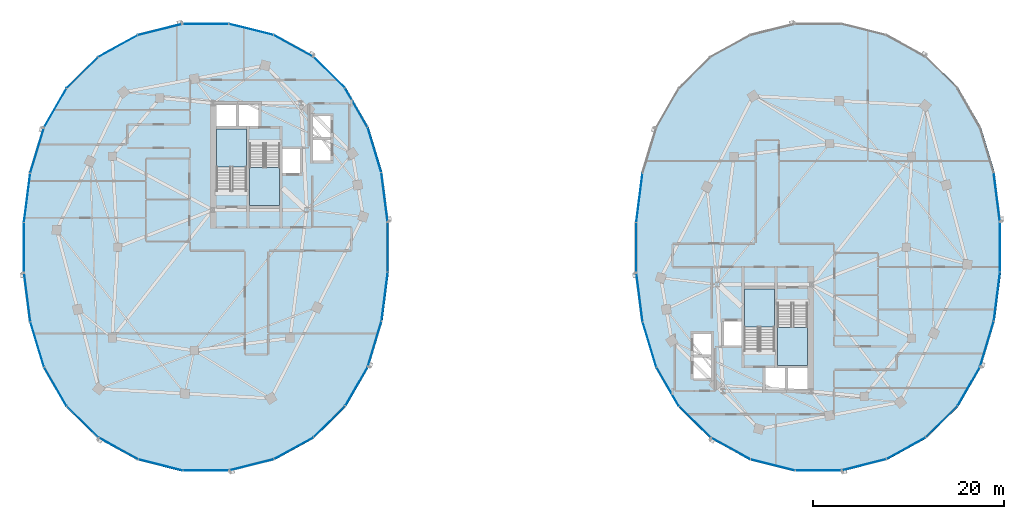
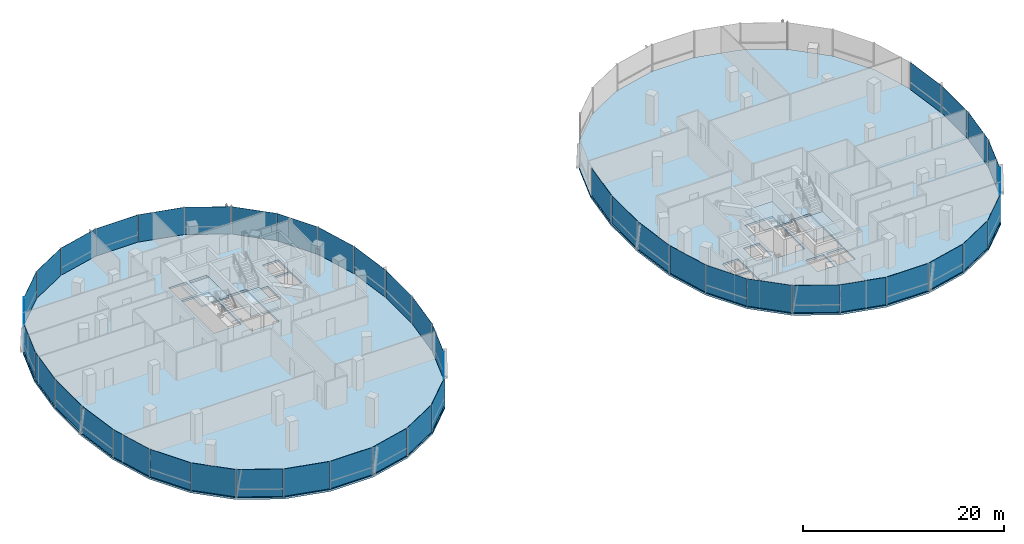
# One storey, part 10 of 22: 45 plates, 6 slabs, 12 elements without a shape of their own.
"""IFC4 building model written with IfcOpenShell, lengths in metres."""

from ifc_helpers import new_model, si_unit, direction, frame, origin, origin_2d, place, context, subcontext, project, spatial, polyline, rectangle, outline, extrude, material, layer, layer_set, type_object, element, aggregate, save


model = new_model("IFC4")

# Units and contexts
model_context = context("Model", 3, precision=1e-05, world=origin(), true_north=direction((0.0, 1.0)))
body_context = subcontext(model_context, "Body", "Model", "MODEL_VIEW")
ifc_project = project(units=[si_unit("LENGTHUNIT", "METRE"), si_unit("AREAUNIT", "SQUARE_METRE"), si_unit("VOLUMEUNIT", "CUBIC_METRE"), si_unit("PLANEANGLEUNIT", "RADIAN"), si_unit("MASSUNIT", "GRAM", prefix="KILO"), si_unit("THERMODYNAMICTEMPERATUREUNIT", "KELVIN"), si_unit("POWERUNIT", "WATT")], contexts=[model_context])

# Site, building, storey
site_placement = place(None, origin())
site = spatial("IfcSite", under=ifc_project, at=site_placement, CompositionType="ELEMENT")
building_placement = place(site_placement, origin())
building = spatial("IfcBuilding", under=site, at=building_placement, Name="Cundina Bronze Exchange", CompositionType="ELEMENT")
storey_placement = place(building_placement, frame((0.0, 0.0, 147.60009765625)))
storey = spatial("IfcBuildingStorey", under=building, at=storey_placement, Name="L38", CompositionType="ELEMENT", Elevation=147.60009765625)

# Curtain wall, plates
ifc_material_1 = material(Name="Anodised Bronze Aluminium 6063-T6", Category="aluminium")
curtain_wall_type = type_object("IfcCurtainWallType", Name="CWS-WST-PIN", PredefinedType="NOTDEFINED", material=ifc_material_1)
curtain_wall_1_placement = place(storey_placement, origin())
curtain_wall_1 = element("IfcCurtainWall", 1, at=curtain_wall_1_placement, inside=storey, type_object=curtain_wall_type, Name="L38 CW-04 Curtain Wall Run CWR-L38-W1", PredefinedType="NOTDEFINED")
ifc_material_2 = material(Name="Heat-Strengthened Solar-Control Bronze Safety Glass 28mm", Category="glass")
ifc_layer_1 = layer(ifc_material_2, 0.028076171875, Name="Heat-Strengthened Solar-Control Bronze Safety Glass 28mm", Category="glass")
ifc_layer_set_1 = layer_set([ifc_layer_1], Name="Heat-Strengthened Solar-Control Bronze Safety Glass 28mm")
plate_type_1 = type_object("IfcPlateType", Name="PLT-GLZ-VIS28", PredefinedType="CURTAIN_PANEL", material=ifc_layer_set_1)
plate_1_placement = place(storey_placement, frame((-13.320556640625, 5.2041015625, 0.02001953125), z_axis=(0.0, 0.0, 1.0), x_axis=(-0.126475984253, 0.9919696696, 0.0)))
plate_1 = element("IfcPlate", 2, at=plate_1_placement, type_object=plate_type_1, Name="CW-04 Glazed Panel 1", PredefinedType="CURTAIN_PANEL", context=body_context, shape_type="SweptSolid", body=[
    extrude(rectangle(XDim=5.104736328125, YDim=0.028076171875, at=origin_2d()), origin(), (0.0, 0.0, 1.0), 3.320068359375),
])
plate_2_placement = place(storey_placement, frame((-16.265625, 14.564697265625, 0.02001953125), z_axis=(0.0, 0.0, 1.0), x_axis=(-0.498487739754, 0.866896748936, 0.0)))
plate_2 = element("IfcPlate", 3, at=plate_2_placement, type_object=plate_type_1, Name="CW-04 Glazed Panel 3", PredefinedType="CURTAIN_PANEL", context=body_context, shape_type="SweptSolid", body=[
    extrude(rectangle(XDim=4.676513671875, YDim=0.028076171875, at=origin_2d()), origin(), (0.0, 0.0, 1.0), 3.320068359375),
])
plate_3_placement = place(storey_placement, frame((-19.105224609375, 18.253662109375, 0.02001953125), z_axis=(0.0, 0.0, 1.0), x_axis=(-0.711989280367, 0.702190333629, 0.0)))
plate_3 = element("IfcPlate", 4, at=plate_3_placement, type_object=plate_type_1, Name="CW-04 Glazed Panel 4", PredefinedType="CURTAIN_PANEL", context=body_context, shape_type="SweptSolid", body=[
    extrude(rectangle(XDim=4.6025390625, YDim=0.028076171875, at=origin_2d()), origin(), (0.0, 0.0, 1.0), 3.320068359375),
])
plate_4_placement = place(storey_placement, frame((-22.83154296875, 21.02880859375, 0.02001953125), z_axis=(0.0, 0.0, 1.0), x_axis=(-0.875869093438, 0.482548786301, 0.0)))
plate_4 = element("IfcPlate", 5, at=plate_4_placement, type_object=plate_type_1, Name="CW-04 Glazed Panel 5", PredefinedType="CURTAIN_PANEL", context=body_context, shape_type="SweptSolid", body=[
    extrude(rectangle(XDim=4.661865234375, YDim=0.028076171875, at=origin_2d()), origin(), (0.0, 0.0, 1.0), 3.320068359375),
])
plate_5_placement = place(storey_placement, frame((-27.23486328125, 22.75244140625, 0.02001953125), z_axis=(0.0, 0.0, 1.0), x_axis=(-0.970092713791, 0.242734683656, 0.0)))
plate_5 = element("IfcPlate", 6, at=plate_5_placement, type_object=plate_type_1, Name="CW-04 Glazed Panel 6", PredefinedType="CURTAIN_PANEL", context=body_context, shape_type="SweptSolid", body=[
    extrude(rectangle(XDim=4.7548828125, YDim=0.028076171875, at=origin_2d()), origin(), (0.0, 0.0, 1.0), 3.320068359375),
])

curtain_wall_2_placement = place(storey_placement, origin())
curtain_wall_2 = element("IfcCurtainWall", 7, at=curtain_wall_2_placement, inside=storey, type_object=curtain_wall_type, Name="L38 CW-04 Curtain Wall Run CWR-L38-W2", PredefinedType="NOTDEFINED")
plate_6_placement = place(storey_placement, frame((-41.16845703125, 21.02880859375, 0.02001953125), z_axis=(0.0, 0.0, 1.0), x_axis=(-0.875869093438, -0.482548786301, 0.0)))
plate_6 = element("IfcPlate", 8, at=plate_6_placement, type_object=plate_type_1, Name="CW-04 Glazed Panel 2", PredefinedType="CURTAIN_PANEL", context=body_context, shape_type="SweptSolid", body=[
    extrude(rectangle(XDim=4.661865234375, YDim=0.028076171875, at=origin_2d()), origin(), (0.0, 0.0, 1.0), 3.320068359375),
])
plate_7_placement = place(storey_placement, frame((-44.894775390625, 18.253662109375, 0.02001953125), z_axis=(0.0, 0.0, 1.0), x_axis=(-0.711989280367, -0.702190333629, 0.0)))
plate_7 = element("IfcPlate", 9, at=plate_7_placement, type_object=plate_type_1, Name="CW-04 Glazed Panel 3", PredefinedType="CURTAIN_PANEL", context=body_context, shape_type="SweptSolid", body=[
    extrude(rectangle(XDim=4.6025390625, YDim=0.028076171875, at=origin_2d()), origin(), (0.0, 0.0, 1.0), 3.320068359375),
])
plate_8_placement = place(storey_placement, frame((-47.734375, 14.564697265625, 0.02001953125), z_axis=(0.0, 0.0, 1.0), x_axis=(-0.498487739754, -0.866896748936, 0.0)))
plate_8 = element("IfcPlate", 10, at=plate_8_placement, type_object=plate_type_1, Name="CW-04 Glazed Panel 4", PredefinedType="CURTAIN_PANEL", context=body_context, shape_type="SweptSolid", body=[
    extrude(rectangle(XDim=4.676513671875, YDim=0.028076171875, at=origin_2d()), origin(), (0.0, 0.0, 1.0), 3.320068359375),
])
plate_9_placement = place(storey_placement, frame((-49.63330078125, 10.14208984375, 0.02001953125), z_axis=(0.0, 0.0, 1.0), x_axis=(-0.290050843957, -0.957011237092, 0.0)))
plate_9 = element("IfcPlate", 11, at=plate_9_placement, type_object=plate_type_1, Name="CW-04 Glazed Panel 5", PredefinedType="CURTAIN_PANEL", context=body_context, shape_type="SweptSolid", body=[
    extrude(rectangle(XDim=4.885009765625, YDim=0.028076171875, at=origin_2d()), origin(), (0.0, 0.0, 1.0), 3.320068359375),
])
plate_10_placement = place(storey_placement, frame((-51.007080078125, 0.0, 0.02001953125), z_axis=(0.0, 0.0, 1.0), x_axis=(0.0, -1.0, 0.0)))
plate_10 = element("IfcPlate", 12, at=plate_10_placement, type_object=plate_type_1, Name="CW-04 Glazed Panel 7", PredefinedType="CURTAIN_PANEL", context=body_context, shape_type="SweptSolid", body=[
    extrude(rectangle(XDim=5.194091796875, YDim=0.028076171875, at=origin_2d()), origin(), (0.0, 0.0, 1.0), 3.320068359375),
])

curtain_wall_3_placement = place(storey_placement, origin())
curtain_wall_3 = element("IfcCurtainWall", 13, at=curtain_wall_3_placement, inside=storey, type_object=curtain_wall_type, Name="L38 CW-04 Curtain Wall Run CWR-L38-W3", PredefinedType="NOTDEFINED")
plate_11_placement = place(storey_placement, frame((-50.679443359375, -5.2041015625, 0.02001953125), z_axis=(0.0, 0.0, 1.0), x_axis=(0.126475984253, -0.9919696696, 0.0)))
plate_11 = element("IfcPlate", 14, at=plate_11_placement, type_object=plate_type_1, Name="CW-04 Glazed Panel 1", PredefinedType="CURTAIN_PANEL", context=body_context, shape_type="SweptSolid", body=[
    extrude(rectangle(XDim=5.104736328125, YDim=0.028076171875, at=origin_2d()), origin(), (0.0, 0.0, 1.0), 3.320068359375),
])
plate_12_placement = place(storey_placement, frame((-49.63330078125, -10.14208984375, 0.02001953125), z_axis=(0.0, 0.0, 1.0), x_axis=(0.290050843957, -0.957011237092, 0.0)))
plate_12 = element("IfcPlate", 15, at=plate_12_placement, type_object=plate_type_1, Name="CW-04 Glazed Panel 2", PredefinedType="CURTAIN_PANEL", context=body_context, shape_type="SweptSolid", body=[
    extrude(rectangle(XDim=4.885009765625, YDim=0.028076171875, at=origin_2d()), origin(), (0.0, 0.0, 1.0), 3.320068359375),
])
plate_13_placement = place(storey_placement, frame((-47.734375, -14.564697265625, 0.02001953125), z_axis=(0.0, 0.0, 1.0), x_axis=(0.498487739754, -0.866896748936, 0.0)))
plate_13 = element("IfcPlate", 16, at=plate_13_placement, type_object=plate_type_1, Name="CW-04 Glazed Panel 3", PredefinedType="CURTAIN_PANEL", context=body_context, shape_type="SweptSolid", body=[
    extrude(rectangle(XDim=4.676513671875, YDim=0.028076171875, at=origin_2d()), origin(), (0.0, 0.0, 1.0), 3.320068359375),
])
plate_14_placement = place(storey_placement, frame((-44.894775390625, -18.253662109375, 0.02001953125), z_axis=(0.0, 0.0, 1.0), x_axis=(0.711989280367, -0.702190333629, 0.0)))
plate_14 = element("IfcPlate", 17, at=plate_14_placement, type_object=plate_type_1, Name="CW-04 Glazed Panel 4", PredefinedType="CURTAIN_PANEL", context=body_context, shape_type="SweptSolid", body=[
    extrude(rectangle(XDim=4.6025390625, YDim=0.028076171875, at=origin_2d()), origin(), (0.0, 0.0, 1.0), 3.320068359375),
])
plate_15_placement = place(storey_placement, frame((-36.76513671875, -22.75244140625, 0.02001953125), z_axis=(0.0, 0.0, 1.0), x_axis=(0.970092713791, -0.242734683656, 0.0)))
plate_15 = element("IfcPlate", 18, at=plate_15_placement, type_object=plate_type_1, Name="CW-04 Glazed Panel 6", PredefinedType="CURTAIN_PANEL", context=body_context, shape_type="SweptSolid", body=[
    extrude(rectangle(XDim=4.7548828125, YDim=0.028076171875, at=origin_2d()), origin(), (0.0, 0.0, 1.0), 3.320068359375),
])
plate_16_placement = place(storey_placement, frame((-32.0, -23.3369140625, 0.02001953125), z_axis=(0.0, 0.0, 1.0), x_axis=(1.0, 0.0, 0.0)))
plate_16 = element("IfcPlate", 19, at=plate_16_placement, type_object=plate_type_1, Name="CW-04 Glazed Panel 7", PredefinedType="CURTAIN_PANEL", context=body_context, shape_type="SweptSolid", body=[
    extrude(rectangle(XDim=4.7958984375, YDim=0.028076171875, at=origin_2d()), origin(), (0.0, 0.0, 1.0), 3.320068359375),
])

curtain_wall_4_placement = place(storey_placement, origin())
curtain_wall_4 = element("IfcCurtainWall", 20, at=curtain_wall_4_placement, inside=storey, type_object=curtain_wall_type, Name="L38 CW-04 Curtain Wall Run CWR-L38-W4", PredefinedType="NOTDEFINED")
plate_17_placement = place(storey_placement, frame((-27.23486328125, -22.75244140625, 0.02001953125), z_axis=(0.0, 0.0, 1.0), x_axis=(0.970092713791, 0.242734683656, 0.0)))
plate_17 = element("IfcPlate", 21, at=plate_17_placement, type_object=plate_type_1, Name="CW-04 Glazed Panel 1", PredefinedType="CURTAIN_PANEL", context=body_context, shape_type="SweptSolid", body=[
    extrude(rectangle(XDim=4.7548828125, YDim=0.028076171875, at=origin_2d()), origin(), (0.0, 0.0, 1.0), 3.320068359375),
])
plate_18_placement = place(storey_placement, frame((-22.83154296875, -21.02880859375, 0.02001953125), z_axis=(0.0, 0.0, 1.0), x_axis=(0.875869093438, 0.482548786301, 0.0)))
plate_18 = element("IfcPlate", 22, at=plate_18_placement, type_object=plate_type_1, Name="CW-04 Glazed Panel 2", PredefinedType="CURTAIN_PANEL", context=body_context, shape_type="SweptSolid", body=[
    extrude(rectangle(XDim=4.661865234375, YDim=0.028076171875, at=origin_2d()), origin(), (0.0, 0.0, 1.0), 3.320068359375),
])
plate_19_placement = place(storey_placement, frame((-19.105224609375, -18.253662109375, 0.02001953125), z_axis=(0.0, 0.0, 1.0), x_axis=(0.711989280367, 0.702190333629, 0.0)))
plate_19 = element("IfcPlate", 23, at=plate_19_placement, type_object=plate_type_1, Name="CW-04 Glazed Panel 3", PredefinedType="CURTAIN_PANEL", context=body_context, shape_type="SweptSolid", body=[
    extrude(rectangle(XDim=4.6025390625, YDim=0.028076171875, at=origin_2d()), origin(), (0.0, 0.0, 1.0), 3.320068359375),
])
plate_20_placement = place(storey_placement, frame((-14.36669921875, -10.14208984375, 0.02001953125), z_axis=(0.0, 0.0, 1.0), x_axis=(0.290050843957, 0.957011237092, 0.0)))
plate_20 = element("IfcPlate", 24, at=plate_20_placement, type_object=plate_type_1, Name="CW-04 Glazed Panel 5", PredefinedType="CURTAIN_PANEL", context=body_context, shape_type="SweptSolid", body=[
    extrude(rectangle(XDim=4.885009765625, YDim=0.028076171875, at=origin_2d()), origin(), (0.0, 0.0, 1.0), 3.320068359375),
])
plate_21_placement = place(storey_placement, frame((-13.320556640625, -5.2041015625, 0.02001953125), z_axis=(0.0, 0.0, 1.0), x_axis=(0.126475984253, 0.9919696696, 0.0)))
plate_21 = element("IfcPlate", 25, at=plate_21_placement, type_object=plate_type_1, Name="CW-04 Glazed Panel 6", PredefinedType="CURTAIN_PANEL", context=body_context, shape_type="SweptSolid", body=[
    extrude(rectangle(XDim=5.104736328125, YDim=0.028076171875, at=origin_2d()), origin(), (0.0, 0.0, 1.0), 3.320068359375),
])
plate_22_placement = place(storey_placement, frame((-12.992919921875, 0.0, 0.02001953125), z_axis=(0.0, 0.0, 1.0), x_axis=(0.0, 1.0, 0.0)))
plate_22 = element("IfcPlate", 26, at=plate_22_placement, type_object=plate_type_1, Name="CW-04 Glazed Panel 7", PredefinedType="CURTAIN_PANEL", context=body_context, shape_type="SweptSolid", body=[
    extrude(rectangle(XDim=5.194091796875, YDim=0.028076171875, at=origin_2d()), origin(), (0.0, 0.0, 1.0), 3.320068359375),
])

# Curtain wall, plate
curtain_wall_5_placement = place(storey_placement, origin())
curtain_wall_5 = element("IfcCurtainWall", 27, at=curtain_wall_5_placement, inside=storey, type_object=curtain_wall_type, Name="L38 CW-04 Curtain Wall Run CWR-L38-E1", PredefinedType="NOTDEFINED")
plate_23_placement = place(storey_placement, frame((50.679443359375, 5.2041015625, 0.02001953125), z_axis=(0.0, 0.0, 1.0), x_axis=(-0.126475984253, 0.9919696696, 0.0)))
plate_23 = element("IfcPlate", 28, at=plate_23_placement, type_object=plate_type_1, Name="CW-04 Glazed Panel 1", PredefinedType="CURTAIN_PANEL", context=body_context, shape_type="SweptSolid", body=[
    extrude(rectangle(XDim=5.104736328125, YDim=0.028076171875, at=origin_2d()), origin(), (0.0, 0.0, 1.0), 3.320068359375),
])
aggregate(curtain_wall_5, [plate_23])

curtain_wall_6_placement = place(storey_placement, origin())
curtain_wall_6 = element("IfcCurtainWall", 29, at=curtain_wall_6_placement, inside=storey, type_object=curtain_wall_type, Name="L38 CW-04 Curtain Wall Run CWR-L38-E2", PredefinedType="NOTDEFINED")
plate_24_placement = place(storey_placement, frame((12.992919921875, 0.0, 0.02001953125), z_axis=(0.0, 0.0, 1.0), x_axis=(0.0, -1.0, 0.0)))
plate_24 = element("IfcPlate", 30, at=plate_24_placement, type_object=plate_type_1, Name="CW-04 Glazed Panel 7", PredefinedType="CURTAIN_PANEL", context=body_context, shape_type="SweptSolid", body=[
    extrude(rectangle(XDim=5.194091796875, YDim=0.028076171875, at=origin_2d()), origin(), (0.0, 0.0, 1.0), 3.320068359375),
])

# Curtain wall, plates
curtain_wall_7_placement = place(storey_placement, origin())
curtain_wall_7 = element("IfcCurtainWall", 31, at=curtain_wall_7_placement, inside=storey, type_object=curtain_wall_type, Name="L38 CW-04 Curtain Wall Run CWR-L38-E3", PredefinedType="NOTDEFINED")
plate_25_placement = place(storey_placement, frame((13.320556640625, -5.2041015625, 0.02001953125), z_axis=(0.0, 0.0, 1.0), x_axis=(0.126475984253, -0.9919696696, 0.0)))
plate_25 = element("IfcPlate", 32, at=plate_25_placement, type_object=plate_type_1, Name="CW-04 Glazed Panel 1", PredefinedType="CURTAIN_PANEL", context=body_context, shape_type="SweptSolid", body=[
    extrude(rectangle(XDim=5.104736328125, YDim=0.028076171875, at=origin_2d()), origin(), (0.0, 0.0, 1.0), 3.320068359375),
])
plate_26_placement = place(storey_placement, frame((14.36669921875, -10.14208984375, 0.02001953125), z_axis=(0.0, 0.0, 1.0), x_axis=(0.290050843957, -0.957011237092, 0.0)))
plate_26 = element("IfcPlate", 33, at=plate_26_placement, type_object=plate_type_1, Name="CW-04 Glazed Panel 2", PredefinedType="CURTAIN_PANEL", context=body_context, shape_type="SweptSolid", body=[
    extrude(rectangle(XDim=4.885009765625, YDim=0.028076171875, at=origin_2d()), origin(), (0.0, 0.0, 1.0), 3.320068359375),
])
plate_27_placement = place(storey_placement, frame((16.265625, -14.564697265625, 0.02001953125), z_axis=(0.0, 0.0, 1.0), x_axis=(0.498487739754, -0.866896748936, 0.0)))
plate_27 = element("IfcPlate", 34, at=plate_27_placement, type_object=plate_type_1, Name="CW-04 Glazed Panel 3", PredefinedType="CURTAIN_PANEL", context=body_context, shape_type="SweptSolid", body=[
    extrude(rectangle(XDim=4.676513671875, YDim=0.028076171875, at=origin_2d()), origin(), (0.0, 0.0, 1.0), 3.320068359375),
])
plate_28_placement = place(storey_placement, frame((19.105224609375, -18.253662109375, 0.02001953125), z_axis=(0.0, 0.0, 1.0), x_axis=(0.711989280367, -0.702190333629, 0.0)))
plate_28 = element("IfcPlate", 35, at=plate_28_placement, type_object=plate_type_1, Name="CW-04 Glazed Panel 4", PredefinedType="CURTAIN_PANEL", context=body_context, shape_type="SweptSolid", body=[
    extrude(rectangle(XDim=4.6025390625, YDim=0.028076171875, at=origin_2d()), origin(), (0.0, 0.0, 1.0), 3.320068359375),
])
plate_29_placement = place(storey_placement, frame((27.23486328125, -22.75244140625, 0.02001953125), z_axis=(0.0, 0.0, 1.0), x_axis=(0.970092713791, -0.242734683656, 0.0)))
plate_29 = element("IfcPlate", 36, at=plate_29_placement, type_object=plate_type_1, Name="CW-04 Glazed Panel 6", PredefinedType="CURTAIN_PANEL", context=body_context, shape_type="SweptSolid", body=[
    extrude(rectangle(XDim=4.7548828125, YDim=0.028076171875, at=origin_2d()), origin(), (0.0, 0.0, 1.0), 3.320068359375),
])
plate_30_placement = place(storey_placement, frame((32.0, -23.3369140625, 0.02001953125), z_axis=(0.0, 0.0, 1.0), x_axis=(1.0, 0.0, 0.0)))
plate_30 = element("IfcPlate", 37, at=plate_30_placement, type_object=plate_type_1, Name="CW-04 Glazed Panel 7", PredefinedType="CURTAIN_PANEL", context=body_context, shape_type="SweptSolid", body=[
    extrude(rectangle(XDim=4.7958984375, YDim=0.028076171875, at=origin_2d()), origin(), (0.0, 0.0, 1.0), 3.320068359375),
])

curtain_wall_8_placement = place(storey_placement, origin())
curtain_wall_8 = element("IfcCurtainWall", 38, at=curtain_wall_8_placement, inside=storey, type_object=curtain_wall_type, Name="L38 CW-04 Curtain Wall Run CWR-L38-E4", PredefinedType="NOTDEFINED")
plate_31_placement = place(storey_placement, frame((36.76513671875, -22.75244140625, 0.02001953125), z_axis=(0.0, 0.0, 1.0), x_axis=(0.970092713791, 0.242734683656, 0.0)))
plate_31 = element("IfcPlate", 39, at=plate_31_placement, type_object=plate_type_1, Name="CW-04 Glazed Panel 1", PredefinedType="CURTAIN_PANEL", context=body_context, shape_type="SweptSolid", body=[
    extrude(rectangle(XDim=4.7548828125, YDim=0.028076171875, at=origin_2d()), origin(), (0.0, 0.0, 1.0), 3.320068359375),
])
plate_32_placement = place(storey_placement, frame((41.16845703125, -21.02880859375, 0.02001953125), z_axis=(0.0, 0.0, 1.0), x_axis=(0.875869093438, 0.482548786301, 0.0)))
plate_32 = element("IfcPlate", 40, at=plate_32_placement, type_object=plate_type_1, Name="CW-04 Glazed Panel 2", PredefinedType="CURTAIN_PANEL", context=body_context, shape_type="SweptSolid", body=[
    extrude(rectangle(XDim=4.661865234375, YDim=0.028076171875, at=origin_2d()), origin(), (0.0, 0.0, 1.0), 3.320068359375),
])
plate_33_placement = place(storey_placement, frame((44.894775390625, -18.253662109375, 0.02001953125), z_axis=(0.0, 0.0, 1.0), x_axis=(0.711989280367, 0.702190333629, 0.0)))
plate_33 = element("IfcPlate", 41, at=plate_33_placement, type_object=plate_type_1, Name="CW-04 Glazed Panel 3", PredefinedType="CURTAIN_PANEL", context=body_context, shape_type="SweptSolid", body=[
    extrude(rectangle(XDim=4.6025390625, YDim=0.028076171875, at=origin_2d()), origin(), (0.0, 0.0, 1.0), 3.320068359375),
])
plate_34_placement = place(storey_placement, frame((49.63330078125, -10.14208984375, 0.02001953125), z_axis=(0.0, 0.0, 1.0), x_axis=(0.290050843957, 0.957011237092, 0.0)))
plate_34 = element("IfcPlate", 42, at=plate_34_placement, type_object=plate_type_1, Name="CW-04 Glazed Panel 5", PredefinedType="CURTAIN_PANEL", context=body_context, shape_type="SweptSolid", body=[
    extrude(rectangle(XDim=4.885009765625, YDim=0.028076171875, at=origin_2d()), origin(), (0.0, 0.0, 1.0), 3.320068359375),
])
plate_35_placement = place(storey_placement, frame((50.679443359375, -5.2041015625, 0.02001953125), z_axis=(0.0, 0.0, 1.0), x_axis=(0.126475984253, 0.9919696696, 0.0)))
plate_35 = element("IfcPlate", 43, at=plate_35_placement, type_object=plate_type_1, Name="CW-04 Glazed Panel 6", PredefinedType="CURTAIN_PANEL", context=body_context, shape_type="SweptSolid", body=[
    extrude(rectangle(XDim=5.104736328125, YDim=0.028076171875, at=origin_2d()), origin(), (0.0, 0.0, 1.0), 3.320068359375),
])
plate_36_placement = place(storey_placement, frame((51.007080078125, 0.0, 0.02001953125), z_axis=(0.0, 0.0, 1.0), x_axis=(0.0, 1.0, 0.0)))
plate_36 = element("IfcPlate", 44, at=plate_36_placement, type_object=plate_type_1, Name="CW-04 Glazed Panel 7", PredefinedType="CURTAIN_PANEL", context=body_context, shape_type="SweptSolid", body=[
    extrude(rectangle(XDim=5.194091796875, YDim=0.028076171875, at=origin_2d()), origin(), (0.0, 0.0, 1.0), 3.320068359375),
])

# Plate
ifc_material_3 = material(Name="Dark Bronze Spandrel Glass Panel 32mm", Category="glass")
ifc_layer_2 = layer(ifc_material_3, 0.031982421875, Name="Dark Bronze Spandrel Glass Panel 32mm", Category="glass")
ifc_layer_set_2 = layer_set([ifc_layer_2], Name="Dark Bronze Spandrel Glass Panel 32mm")
plate_type_2 = type_object("IfcPlateType", Name="PLT-SPN-BRZ32", PredefinedType="CURTAIN_PANEL", material=ifc_layer_set_2)
plate_37_placement = place(storey_placement, frame((-14.36669921875, 10.14208984375, 0.02001953125), z_axis=(0.0, 0.0, 1.0), x_axis=(-0.290050843957, 0.957011237092, 0.0)))
plate_37 = element("IfcPlate", 45, at=plate_37_placement, type_object=plate_type_2, Name="CW-04 Glazed Panel 2", PredefinedType="CURTAIN_PANEL", context=body_context, shape_type="SweptSolid", body=[
    extrude(rectangle(XDim=4.885009765625, YDim=0.031982421875, at=origin_2d()), origin(), (0.0, 0.0, 1.0), 3.320068359375),
])

plate_38_placement = place(storey_placement, frame((-32.0, 23.3369140625, 0.02001953125), z_axis=(0.0, 0.0, 1.0), x_axis=(-1.0, 0.0, 0.0)))
plate_38 = element("IfcPlate", 46, at=plate_38_placement, type_object=plate_type_2, Name="CW-04 Glazed Panel 7", PredefinedType="CURTAIN_PANEL", context=body_context, shape_type="SweptSolid", body=[
    extrude(rectangle(XDim=4.7958984375, YDim=0.031982421875, at=origin_2d()), origin(), (0.0, 0.0, 1.0), 3.320068359375),
])

aggregate(curtain_wall_1, [plate_1, plate_37, plate_2, plate_3, plate_4, plate_5, plate_38])

plate_39_placement = place(storey_placement, frame((-36.76513671875, 22.75244140625, 0.02001953125), z_axis=(0.0, 0.0, 1.0), x_axis=(-0.970092713791, -0.242734683656, 0.0)))
plate_39 = element("IfcPlate", 47, at=plate_39_placement, type_object=plate_type_2, Name="CW-04 Glazed Panel 1", PredefinedType="CURTAIN_PANEL", context=body_context, shape_type="SweptSolid", body=[
    extrude(rectangle(XDim=4.7548828125, YDim=0.031982421875, at=origin_2d()), origin(), (0.0, 0.0, 1.0), 3.320068359375),
])

plate_40_placement = place(storey_placement, frame((-50.679443359375, 5.2041015625, 0.02001953125), z_axis=(0.0, 0.0, 1.0), x_axis=(-0.126475984253, -0.9919696696, 0.0)))
plate_40 = element("IfcPlate", 48, at=plate_40_placement, type_object=plate_type_2, Name="CW-04 Glazed Panel 6", PredefinedType="CURTAIN_PANEL", context=body_context, shape_type="SweptSolid", body=[
    extrude(rectangle(XDim=5.104736328125, YDim=0.031982421875, at=origin_2d()), origin(), (0.0, 0.0, 1.0), 3.320068359375),
])

aggregate(curtain_wall_2, [plate_39, plate_6, plate_7, plate_8, plate_9, plate_40, plate_10])

plate_41_placement = place(storey_placement, frame((-41.16845703125, -21.02880859375, 0.02001953125), z_axis=(0.0, 0.0, 1.0), x_axis=(0.875869093438, -0.482548786301, 0.0)))
plate_41 = element("IfcPlate", 49, at=plate_41_placement, type_object=plate_type_2, Name="CW-04 Glazed Panel 5", PredefinedType="CURTAIN_PANEL", context=body_context, shape_type="SweptSolid", body=[
    extrude(rectangle(XDim=4.661865234375, YDim=0.031982421875, at=origin_2d()), origin(), (0.0, 0.0, 1.0), 3.320068359375),
])

aggregate(curtain_wall_3, [plate_11, plate_12, plate_13, plate_14, plate_41, plate_15, plate_16])

plate_42_placement = place(storey_placement, frame((-16.265625, -14.564697265625, 0.02001953125), z_axis=(0.0, 0.0, 1.0), x_axis=(0.498487739754, 0.866896748936, 0.0)))
plate_42 = element("IfcPlate", 50, at=plate_42_placement, type_object=plate_type_2, Name="CW-04 Glazed Panel 4", PredefinedType="CURTAIN_PANEL", context=body_context, shape_type="SweptSolid", body=[
    extrude(rectangle(XDim=4.676513671875, YDim=0.031982421875, at=origin_2d()), origin(), (0.0, 0.0, 1.0), 3.320068359375),
])

aggregate(curtain_wall_4, [plate_17, plate_18, plate_19, plate_42, plate_20, plate_21, plate_22])

plate_43_placement = place(storey_placement, frame((13.320556640625, 5.2041015625, 0.02001953125), z_axis=(0.0, 0.0, 1.0), x_axis=(-0.126475984253, -0.9919696696, 0.0)))
plate_43 = element("IfcPlate", 51, at=plate_43_placement, type_object=plate_type_2, Name="CW-04 Glazed Panel 6", PredefinedType="CURTAIN_PANEL", context=body_context, shape_type="SweptSolid", body=[
    extrude(rectangle(XDim=5.104736328125, YDim=0.031982421875, at=origin_2d()), origin(), (0.0, 0.0, 1.0), 3.320068359375),
])

aggregate(curtain_wall_6, [plate_43, plate_24])

plate_44_placement = place(storey_placement, frame((22.83154296875, -21.02880859375, 0.02001953125), z_axis=(0.0, 0.0, 1.0), x_axis=(0.875869093438, -0.482548786301, 0.0)))
plate_44 = element("IfcPlate", 52, at=plate_44_placement, type_object=plate_type_2, Name="CW-04 Glazed Panel 5", PredefinedType="CURTAIN_PANEL", context=body_context, shape_type="SweptSolid", body=[
    extrude(rectangle(XDim=4.661865234375, YDim=0.031982421875, at=origin_2d()), origin(), (0.0, 0.0, 1.0), 3.320068359375),
])

aggregate(curtain_wall_7, [plate_25, plate_26, plate_27, plate_28, plate_44, plate_29, plate_30])

plate_45_placement = place(storey_placement, frame((47.734375, -14.564697265625, 0.02001953125), z_axis=(0.0, 0.0, 1.0), x_axis=(0.498487739754, 0.866896748936, 0.0)))
plate_45 = element("IfcPlate", 53, at=plate_45_placement, type_object=plate_type_2, Name="CW-04 Glazed Panel 4", PredefinedType="CURTAIN_PANEL", context=body_context, shape_type="SweptSolid", body=[
    extrude(rectangle(XDim=4.676513671875, YDim=0.031982421875, at=origin_2d()), origin(), (0.0, 0.0, 1.0), 3.320068359375),
])

aggregate(curtain_wall_8, [plate_31, plate_32, plate_33, plate_45, plate_34, plate_35, plate_36])

# Stair, slab
ifc_material_4 = material(Name="Concrete C40/50", Category="concrete")
stair_type = type_object("IfcStairType", Name="STR-OFF-360", PredefinedType="HALF_TURN_STAIR", material=ifc_material_4)
stair_1_placement = place(storey_placement, origin())
stair_1 = element("IfcStair", 54, at=stair_1_placement, inside=storey, type_object=stair_type, Name="L38 Smokeproof Exit Stair W1", PredefinedType="HALF_TURN_STAIR")
ifc_layer_3 = layer(ifc_material_4, 0.199951171875, Name="Concrete C40/50", Category="concrete")
ifc_layer_set_3 = layer_set([ifc_layer_3], Name="Concrete C40/50")
slab_type_1 = type_object("IfcSlabType", Name="SLB-LND-200", PredefinedType="LANDING", material=ifc_layer_set_3)
slab_1_placement = place(storey_placement, frame((0.0, 0.0, 1.599853515625)))
slab_1 = element("IfcSlab", 55, at=slab_1_placement, type_object=slab_type_1, Name="ST-W1 landing 1", PredefinedType="LANDING", context=body_context, shape_type="SweptSolid", body=[
    extrude(outline(polyline([(-27.739990234375, 8.3701171875), (-27.739990234375, 12.35009765625), (-30.89990234375, 12.35009765625), (-30.89990234375, 8.3701171875), (-27.739990234375, 8.3701171875)])), origin(), (0.0, 0.0, 1.0), 0.199951171875),
])
aggregate(stair_1, [slab_1])

stair_2_placement = place(storey_placement, origin())
stair_2 = element("IfcStair", 56, at=stair_2_placement, inside=storey, type_object=stair_type, Name="L38 Smokeproof Exit Stair W2", PredefinedType="HALF_TURN_STAIR")
slab_2_placement = place(storey_placement, frame((0.0, 0.0, 1.599853515625)))
slab_2 = element("IfcSlab", 57, at=slab_2_placement, type_object=slab_type_1, Name="ST-W2 landing 1", PredefinedType="LANDING", context=body_context, shape_type="SweptSolid", body=[
    extrude(outline(polyline([(-27.43994140625, 8.330078125), (-27.43994140625, 4.35009765625), (-24.280029296875, 4.35009765625), (-24.280029296875, 8.330078125), (-27.43994140625, 8.330078125)])), origin(), (0.0, 0.0, 1.0), 0.199951171875),
])
aggregate(stair_2, [slab_2])

stair_3_placement = place(storey_placement, origin())
stair_3 = element("IfcStair", 58, at=stair_3_placement, inside=storey, type_object=stair_type, Name="L38 Smokeproof Exit Stair E1", PredefinedType="HALF_TURN_STAIR")
slab_3_placement = place(storey_placement, frame((0.0, 0.0, 1.599853515625)))
slab_3 = element("IfcSlab", 59, at=slab_3_placement, type_object=slab_type_1, Name="ST-E1 landing 1", PredefinedType="LANDING", context=body_context, shape_type="SweptSolid", body=[
    extrude(outline(polyline([(27.739990234375, -8.3701171875), (27.739990234375, -12.35009765625), (30.89990234375, -12.35009765625), (30.89990234375, -8.3701171875), (27.739990234375, -8.3701171875)])), origin(), (0.0, 0.0, 1.0), 0.199951171875),
])
aggregate(stair_3, [slab_3])

stair_4_placement = place(storey_placement, origin())
stair_4 = element("IfcStair", 60, at=stair_4_placement, inside=storey, type_object=stair_type, Name="L38 Smokeproof Exit Stair E2", PredefinedType="HALF_TURN_STAIR")
slab_4_placement = place(storey_placement, frame((0.0, 0.0, 1.599853515625)))
slab_4 = element("IfcSlab", 61, at=slab_4_placement, type_object=slab_type_1, Name="ST-E2 landing 1", PredefinedType="LANDING", context=body_context, shape_type="SweptSolid", body=[
    extrude(outline(polyline([(27.43994140625, -8.330078125), (27.43994140625, -4.35009765625), (24.280029296875, -4.35009765625), (24.280029296875, -8.330078125), (27.43994140625, -8.330078125)])), origin(), (0.0, 0.0, 1.0), 0.199951171875),
])
aggregate(stair_4, [slab_4])

# Slabs
ifc_material_5 = material(Name="Concrete C50/60", Category="concrete")
ifc_layer_4 = layer(ifc_material_5, 0.239990234375, Name="Concrete C50/60", Category="concrete")
ifc_layer_set_4 = layer_set([ifc_layer_4], Name="Concrete C50/60")
slab_type_2 = type_object("IfcSlabType", Name="SLB-WST-240", PredefinedType="FLOOR", material=ifc_layer_set_4)
slab_5_placement = place(storey_placement, frame((0.0, 0.0, -0.239990234375)))
element("IfcSlab", 62, at=slab_5_placement, inside=storey, type_object=slab_type_2, Name="L38 Leg W Structural Floor Slab", PredefinedType="FLOOR", context=body_context, shape_type="SweptSolid", body=[
    extrude(outline(polyline([(-12.8779296875, 2.64208984375), (-13.534912109375, 7.794921875), (-14.97802734375, 12.555908203125), (-17.35400390625, 16.68798828125), (-20.695068359375, 19.98291015625), (-24.85693359375, 22.27587890625), (-29.556884765625, 23.451904296875), (-34.443115234375, 23.451904296875), (-39.14306640625, 22.27587890625), (-43.304931640625, 19.98291015625), (-46.64599609375, 16.68798828125), (-49.02197265625, 12.555908203125), (-50.465087890625, 7.794921875), (-51.1220703125, 2.64208984375), (-51.1220703125, -2.64208984375), (-50.465087890625, -7.794921875), (-49.02197265625, -12.555908203125), (-46.64599609375, -16.68798828125), (-43.304931640625, -19.98291015625), (-39.14306640625, -22.27587890625), (-34.443115234375, -23.451904296875), (-29.556884765625, -23.451904296875), (-24.85693359375, -22.27587890625), (-20.695068359375, -19.98291015625), (-17.35400390625, -16.68798828125), (-14.97802734375, -12.555908203125), (-13.534912109375, -7.794921875), (-12.8779296875, -2.64208984375), (-12.8779296875, 2.64208984375)]), holes=[polyline([(-27.739990234375, 5.85009765625), (-27.739990234375, 12.35009765625), (-30.89990234375, 12.35009765625), (-30.89990234375, 5.85009765625), (-27.739990234375, 5.85009765625)]), polyline([(-27.43994140625, 10.85009765625), (-27.43994140625, 4.35009765625), (-24.280029296875, 4.35009765625), (-24.280029296875, 10.85009765625), (-27.43994140625, 10.85009765625)]), polyline([(-23.97998046875, 10.25), (-22.179931640625, 10.25), (-22.179931640625, 7.75), (-23.97998046875, 7.75), (-23.97998046875, 10.25)]), polyline([(-30.89990234375, 14.949951171875), (-28.85009765625, 14.949951171875), (-28.85009765625, 12.64990234375), (-30.89990234375, 12.64990234375), (-30.89990234375, 14.949951171875)]), polyline([(-28.550048828125, 14.949951171875), (-26.5, 14.949951171875), (-26.5, 12.64990234375), (-28.550048828125, 12.64990234375), (-28.550048828125, 14.949951171875)]), polyline([(-20.800048828125, 13.699951171875), (-18.949951171875, 13.699951171875), (-18.949951171875, 11.449951171875), (-20.800048828125, 11.449951171875), (-20.800048828125, 13.699951171875)]), polyline([(-20.800048828125, 11.300048828125), (-18.949951171875, 11.300048828125), (-18.949951171875, 9.050048828125), (-20.800048828125, 9.050048828125), (-20.800048828125, 11.300048828125)])]), origin(), (0.0, 0.0, 1.0), 0.239990234375),
])
slab_6_placement = place(storey_placement, frame((0.0, 0.0, -0.239990234375)))
element("IfcSlab", 63, at=slab_6_placement, inside=storey, type_object=slab_type_2, Name="L38 Leg E Structural Floor Slab", PredefinedType="FLOOR", context=body_context, shape_type="SweptSolid", body=[
    extrude(outline(polyline([(51.1220703125, 2.64208984375), (50.465087890625, 7.794921875), (49.02197265625, 12.555908203125), (46.64599609375, 16.68798828125), (43.304931640625, 19.98291015625), (39.14306640625, 22.27587890625), (34.443115234375, 23.451904296875), (29.556884765625, 23.451904296875), (24.85693359375, 22.27587890625), (20.695068359375, 19.98291015625), (17.35400390625, 16.68798828125), (14.97802734375, 12.555908203125), (13.534912109375, 7.794921875), (12.8779296875, 2.64208984375), (12.8779296875, -2.64208984375), (13.534912109375, -7.794921875), (14.97802734375, -12.555908203125), (17.35400390625, -16.68798828125), (20.695068359375, -19.98291015625), (24.85693359375, -22.27587890625), (29.556884765625, -23.451904296875), (34.443115234375, -23.451904296875), (39.14306640625, -22.27587890625), (43.304931640625, -19.98291015625), (46.64599609375, -16.68798828125), (49.02197265625, -12.555908203125), (50.465087890625, -7.794921875), (51.1220703125, -2.64208984375), (51.1220703125, 2.64208984375)]), holes=[polyline([(27.739990234375, -5.85009765625), (27.739990234375, -12.35009765625), (30.89990234375, -12.35009765625), (30.89990234375, -5.85009765625), (27.739990234375, -5.85009765625)]), polyline([(27.43994140625, -10.85009765625), (27.43994140625, -4.35009765625), (24.280029296875, -4.35009765625), (24.280029296875, -10.85009765625), (27.43994140625, -10.85009765625)]), polyline([(22.179931640625, -7.75), (23.97998046875, -7.75), (23.97998046875, -10.25), (22.179931640625, -10.25), (22.179931640625, -7.75)]), polyline([(28.85009765625, -12.64990234375), (30.89990234375, -12.64990234375), (30.89990234375, -14.949951171875), (28.85009765625, -14.949951171875), (28.85009765625, -12.64990234375)]), polyline([(26.5, -12.64990234375), (28.550048828125, -12.64990234375), (28.550048828125, -14.949951171875), (26.5, -14.949951171875), (26.5, -12.64990234375)]), polyline([(18.949951171875, -11.449951171875), (20.800048828125, -11.449951171875), (20.800048828125, -13.699951171875), (18.949951171875, -13.699951171875), (18.949951171875, -11.449951171875)]), polyline([(18.949951171875, -9.050048828125), (20.800048828125, -9.050048828125), (20.800048828125, -11.300048828125), (18.949951171875, -11.300048828125), (18.949951171875, -9.050048828125)])]), origin(), (0.0, 0.0, 1.0), 0.239990234375),
])

save(model, "model.ifc")
